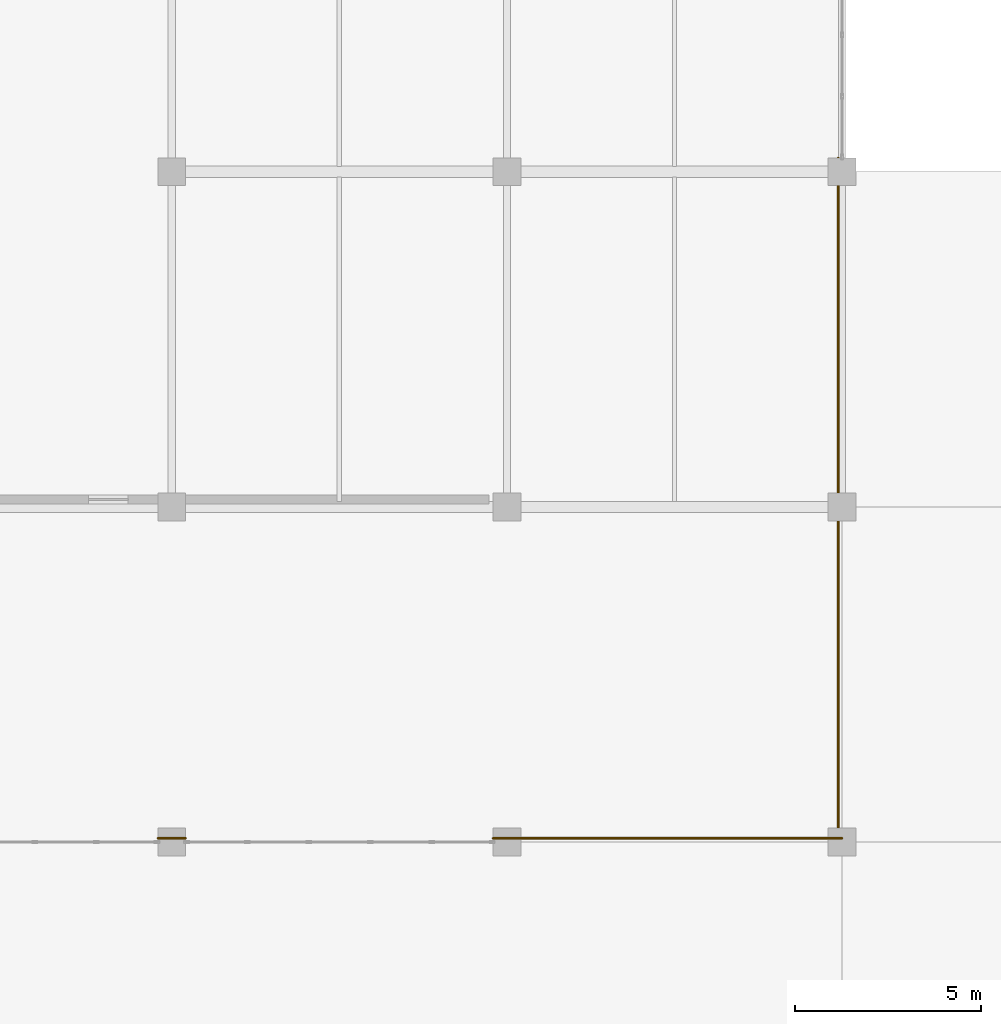
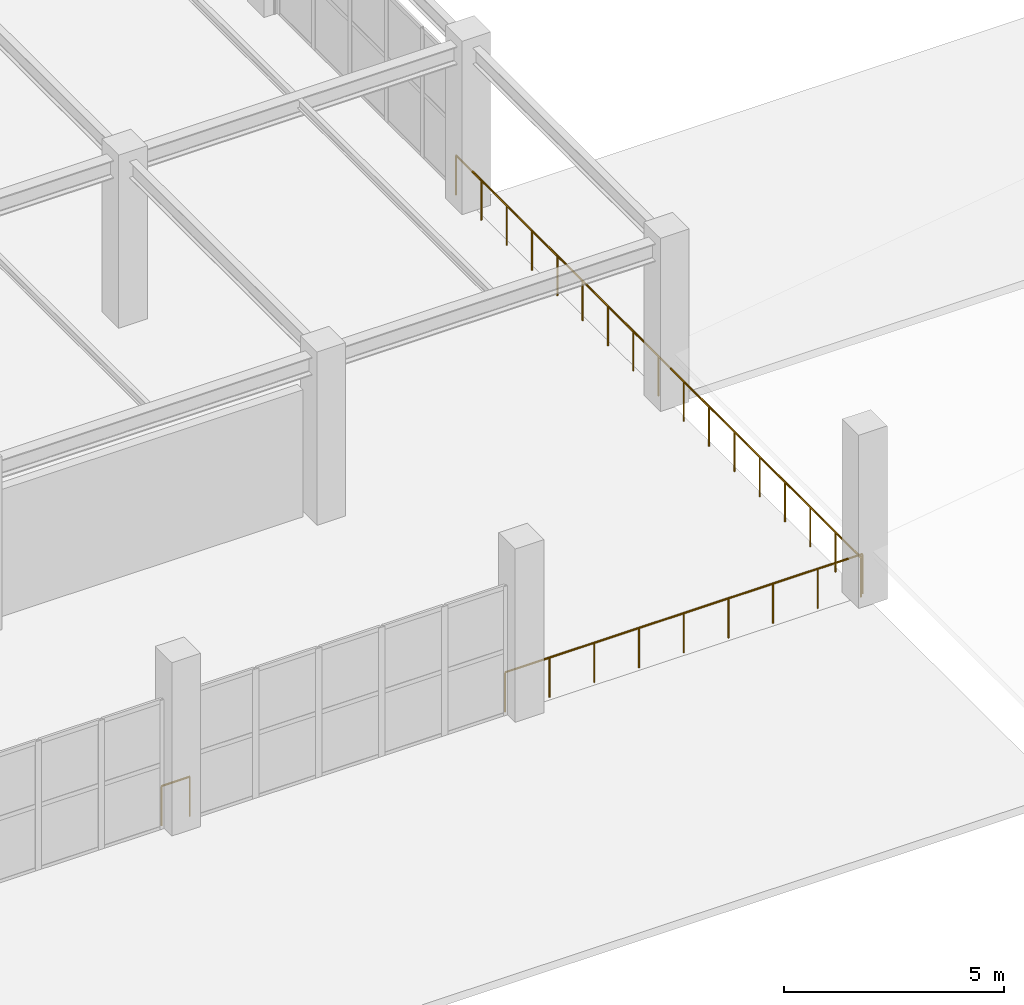
# One storey, part 79 of 89: 3 railings.
"""IFC4 building model written with IfcOpenShell, lengths in metres."""

from ifc_helpers import new_model, si_unit, direction, frame, origin, origin_2d, place, context, subcontext, project, spatial, circle, extrude, material, type_object, element, save


model = new_model("IFC4")

# Units and contexts
model_context = context("Model", 3, precision=1e-05, world=origin(), true_north=direction((0.0, 1.0)))
body_context = subcontext(model_context, "Body", "Model", "MODEL_VIEW")
ifc_project = project(units=[si_unit("LENGTHUNIT", "METRE"), si_unit("AREAUNIT", "SQUARE_METRE"), si_unit("VOLUMEUNIT", "CUBIC_METRE"), si_unit("PLANEANGLEUNIT", "RADIAN"), si_unit("MASSUNIT", "GRAM", prefix="KILO")], contexts=[model_context])

# Site, building, storey
site_placement = place(None, origin())
site = spatial("IfcSite", under=ifc_project, at=site_placement, CompositionType="ELEMENT")
building_placement = place(site_placement, origin())
building = spatial("IfcBuilding", under=site, at=building_placement, Name="Dornveld Trade and Exhibition Forum", CompositionType="ELEMENT")
storey_placement = place(building_placement, frame((0.0, 0.0, 12.0)))
storey = spatial("IfcBuildingStorey", under=building, at=storey_placement, Name="L02", CompositionType="ELEMENT", Elevation=12.0)

# Railings
ifc_material = material(Name="Dark-bronze steel and laminated glass balustrade", Category="steel")
railing_type = type_object("IfcRailingType", Name="RL-BALUST-CONC", PredefinedType="BALUSTRADE", material=ifc_material)
railing_1_placement = place(storey_placement, frame((152.89990234375, 54.37109375, 0.0)))
element("IfcRailing", 1, at=railing_1_placement, inside=storey, type_object=railing_type, Name="L02 deck edge balustrade 141", PredefinedType="BALUSTRADE", context=body_context, shape_type="SweptSolid", body=[
    extrude(circle(Radius=0.02490234375, at=origin_2d()), frame((0.0, 0.0, 1.09521484375), z_axis=(0.0, -1.0, 0.0), x_axis=(1.0, 0.0, 0.0)), (0.0, 0.0, 1.0), 18.37109375),
    extrude(circle(Radius=0.02099609375, at=origin_2d()), origin(), (0.0, 0.0, 1.0), 1.070068359375),
    extrude(circle(Radius=0.02099609375, at=origin_2d()), frame((0.0, -1.148193359375, 0.0)), (0.0, 0.0, 1.0), 1.070068359375),
    extrude(circle(Radius=0.02099609375, at=origin_2d()), frame((0.0, -2.29638671875, 0.0)), (0.0, 0.0, 1.0), 1.070068359375),
    extrude(circle(Radius=0.02099609375, at=origin_2d()), frame((0.0, -3.444580078125, 0.0)), (0.0, 0.0, 1.0), 1.070068359375),
    extrude(circle(Radius=0.02099609375, at=origin_2d()), frame((0.0, -4.5927734375, 0.0)), (0.0, 0.0, 1.0), 1.070068359375),
    extrude(circle(Radius=0.02099609375, at=origin_2d()), frame((0.0, -5.740966796875, 0.0)), (0.0, 0.0, 1.0), 1.070068359375),
    extrude(circle(Radius=0.02099609375, at=origin_2d()), frame((0.0, -6.88916015625, 0.0)), (0.0, 0.0, 1.0), 1.070068359375),
    extrude(circle(Radius=0.02099609375, at=origin_2d()), frame((0.0, -8.037353515625, 0.0)), (0.0, 0.0, 1.0), 1.070068359375),
    extrude(circle(Radius=0.02099609375, at=origin_2d()), frame((0.0, -9.185546875, 0.0)), (0.0, 0.0, 1.0), 1.070068359375),
    extrude(circle(Radius=0.02099609375, at=origin_2d()), frame((0.0, -10.333740234375, 0.0)), (0.0, 0.0, 1.0), 1.070068359375),
    extrude(circle(Radius=0.02099609375, at=origin_2d()), frame((0.0, -11.48193359375, 0.0)), (0.0, 0.0, 1.0), 1.070068359375),
    extrude(circle(Radius=0.02099609375, at=origin_2d()), frame((0.0, -12.630126953125, 0.0)), (0.0, 0.0, 1.0), 1.070068359375),
    extrude(circle(Radius=0.02099609375, at=origin_2d()), frame((0.0, -13.7783203125, 0.0)), (0.0, 0.0, 1.0), 1.070068359375),
    extrude(circle(Radius=0.02099609375, at=origin_2d()), frame((0.0, -14.926513671875, 0.0)), (0.0, 0.0, 1.0), 1.070068359375),
    extrude(circle(Radius=0.02099609375, at=origin_2d()), frame((0.0, -16.07470703125, 0.0)), (0.0, 0.0, 1.0), 1.070068359375),
    extrude(circle(Radius=0.02099609375, at=origin_2d()), frame((0.0, -17.222900390625, 0.0)), (0.0, 0.0, 1.0), 1.070068359375),
    extrude(circle(Radius=0.02099609375, at=origin_2d()), frame((0.0, -18.37109375, 0.0)), (0.0, 0.0, 1.0), 1.070068359375),
])
railing_2_placement = place(storey_placement, frame((153.0, 36.10009765625, 0.0)))
element("IfcRailing", 2, at=railing_2_placement, inside=storey, type_object=railing_type, Name="L02 deck edge balustrade 142", PredefinedType="BALUSTRADE", context=body_context, shape_type="SweptSolid", body=[
    extrude(circle(Radius=0.02490234375, at=origin_2d()), frame((0.0, 0.0, 1.09521484375), z_axis=(-1.0, 0.0, 0.0), x_axis=(0.0, -1.0, 0.0)), (0.0, 0.0, 1.0), 9.37109375),
    extrude(circle(Radius=0.02099609375, at=origin_2d()), origin(), (0.0, 0.0, 1.0), 1.070068359375),
    extrude(circle(Radius=0.02099609375, at=origin_2d()), frame((-1.17138671875, 0.0, 0.0)), (0.0, 0.0, 1.0), 1.070068359375),
    extrude(circle(Radius=0.02099609375, at=origin_2d()), frame((-2.3427734375, 0.0, 0.0)), (0.0, 0.0, 1.0), 1.070068359375),
    extrude(circle(Radius=0.02099609375, at=origin_2d()), frame((-3.51416015625, 0.0, 0.0)), (0.0, 0.0, 1.0), 1.070068359375),
    extrude(circle(Radius=0.02099609375, at=origin_2d()), frame((-4.685546875, 0.0, 0.0)), (0.0, 0.0, 1.0), 1.070068359375),
    extrude(circle(Radius=0.02099609375, at=origin_2d()), frame((-5.85693359375, 0.0, 0.0)), (0.0, 0.0, 1.0), 1.070068359375),
    extrude(circle(Radius=0.02099609375, at=origin_2d()), frame((-7.0283203125, 0.0, 0.0)), (0.0, 0.0, 1.0), 1.070068359375),
    extrude(circle(Radius=0.02099609375, at=origin_2d()), frame((-8.19970703125, 0.0, 0.0)), (0.0, 0.0, 1.0), 1.070068359375),
    extrude(circle(Radius=0.02099609375, at=origin_2d()), frame((-9.37109375, 0.0, 0.0)), (0.0, 0.0, 1.0), 1.070068359375),
])
railing_3_placement = place(storey_placement, frame((135.37109375, 36.10009765625, 0.0)))
element("IfcRailing", 3, at=railing_3_placement, inside=storey, type_object=railing_type, Name="L02 deck edge balustrade 143", PredefinedType="BALUSTRADE", context=body_context, shape_type="SweptSolid", body=[
    extrude(circle(Radius=0.02490234375, at=origin_2d()), frame((0.0, 0.0, 1.09521484375), z_axis=(-1.0, 0.0, 0.0), x_axis=(0.0, -1.0, 0.0)), (0.0, 0.0, 1.0), 0.7421875),
    extrude(circle(Radius=0.02099609375, at=origin_2d()), origin(), (0.0, 0.0, 1.0), 1.070068359375),
    extrude(circle(Radius=0.02099609375, at=origin_2d()), frame((-0.7421875, 0.0, 0.0)), (0.0, 0.0, 1.0), 1.070068359375),
])

save(model, "model.ifc")
